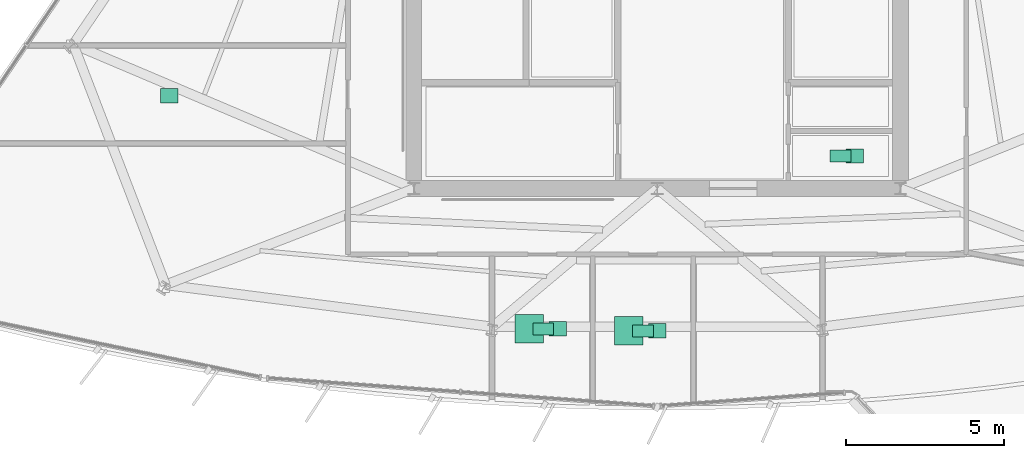
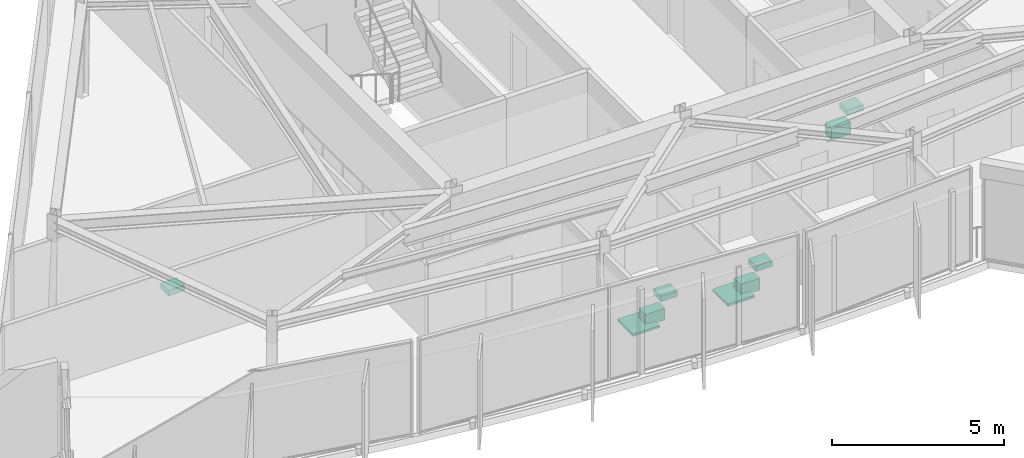
# One storey, part 13 of 13: 9 sanitary terminals.
"""IFC4 building model written with IfcOpenShell, lengths in metres."""

from ifc_helpers import new_model, si_unit, direction, frame, origin, origin_2d, place, context, subcontext, project, spatial, rectangle, extrude, material, type_object, element, save


model = new_model("IFC4")

# Units and contexts
model_context = context("Model", 3, precision=1e-05, world=origin(), true_north=direction((0.0, 1.0)))
body_context = subcontext(model_context, "Body", "Model", "MODEL_VIEW")
ifc_project = project(units=[si_unit("LENGTHUNIT", "METRE"), si_unit("AREAUNIT", "SQUARE_METRE"), si_unit("VOLUMEUNIT", "CUBIC_METRE"), si_unit("PLANEANGLEUNIT", "RADIAN"), si_unit("MASSUNIT", "GRAM", prefix="KILO")], contexts=[model_context])

# Site, building, storey
site_placement = place(None, origin())
site = spatial("IfcSite", under=ifc_project, at=site_placement, CompositionType="ELEMENT")
building_placement = place(site_placement, origin())
building = spatial("IfcBuilding", under=site, at=building_placement, Name="Savorim Split Tower", CompositionType="ELEMENT")
storey_placement = place(building_placement, frame((0.0, 0.0, 265.199951171875)))
storey = spatial("IfcBuildingStorey", under=building, at=storey_placement, Name="L70", CompositionType="ELEMENT", Elevation=265.199951171875)

# Sanitary terminals
ifc_material = material(Name="Vitreous China Sanitaryware")
sanitary_terminal_type_1 = type_object("IfcSanitaryTerminalType", Name="SAN-SHW-900", PredefinedType="SHOWER", material=ifc_material)
for number, where, z_axis, x_axis, name in (
    (1, (-4.049560546875, -13.83837890625, 0.0), (0.0, 0.0, 1.0), (1.0, 0.0, 0.0), "L70 Shared Bathroom Shower"),
    (2, (-0.899658203125, -13.89990234375, 0.0), (0.0, 0.0, 1.0), (1.0, 0.0, 0.0), "L70 Shared Bathroom Shower"),
):
    element("IfcSanitaryTerminal", number, at=place(storey_placement, frame(where, z_axis=z_axis, x_axis=x_axis)), inside=storey, type_object=sanitary_terminal_type_1, Name=name, PredefinedType="SHOWER", context=body_context, shape_type="SweptSolid", body=[
        extrude(rectangle(XDim=0.89990234375, YDim=0.89990234375, at=origin_2d()), origin(), (0.0, 0.0, 1.0), 0.080078125),
    ])
sanitary_terminal_type_2 = type_object("IfcSanitaryTerminalType", Name="SAN-WC-PAN", PredefinedType="TOILETPAN", material=ifc_material)
for number, where, z_axis, x_axis, name in (
    (3, (5.800048828125, -8.3701171875, 0.0), (0.0, 0.0, 1.0), (1.0, 0.0, 0.0), "L70 Accessible WC WC Pan"),
    (4, (-3.599609375, -13.83837890625, 0.0), (0.0, 0.0, 1.0), (1.0, 0.0, 0.0), "L70 Shared Bathroom WC Pan"),
    (5, (-0.44970703125, -13.89990234375, 0.0), (0.0, 0.0, 1.0), (1.0, 0.0, 0.0), "L70 Shared Bathroom WC Pan"),
):
    element("IfcSanitaryTerminal", number, at=place(storey_placement, frame(where, z_axis=z_axis, x_axis=x_axis)), inside=storey, type_object=sanitary_terminal_type_2, Name=name, PredefinedType="TOILETPAN", context=body_context, shape_type="SweptSolid", body=[
        extrude(rectangle(XDim=0.64990234375, YDim=0.3798828125, at=origin_2d()), origin(), (0.0, 0.0, 1.0), 0.419921875),
    ])
sanitary_terminal_type_3 = type_object("IfcSanitaryTerminalType", Name="SAN-WHB-550", PredefinedType="WASHHANDBASIN", material=ifc_material)
for number, where, z_axis, x_axis, name in (
    (6, (6.25, -8.3701171875, 0.72021484375), (0.0, 0.0, 1.0), (1.0, 0.0, 0.0), "L70 Accessible WC Washhand Basin"),
    (7, (-15.438720703125, -6.462646484375, 0.75), (0.0, 0.0, 1.0), (1.0, 0.0, 0.0), "L70 Shared Kitchen Utility Sink"),
    (8, (-3.1494140625, -13.83837890625, 0.72021484375), (0.0, 0.0, 1.0), (1.0, 0.0, 0.0), "L70 Shared Bathroom Washhand Basin"),
    (9, (0.000244140625, -13.89990234375, 0.72021484375), (0.0, 0.0, 1.0), (1.0, 0.0, 0.0), "L70 Shared Bathroom Washhand Basin"),
):
    element("IfcSanitaryTerminal", number, at=place(storey_placement, frame(where, z_axis=z_axis, x_axis=x_axis)), inside=storey, type_object=sanitary_terminal_type_3, Name=name, PredefinedType="WASHHANDBASIN", context=body_context, shape_type="SweptSolid", body=[
        extrude(rectangle(XDim=0.550048828125, YDim=0.449951171875, at=origin_2d()), origin(), (0.0, 0.0, 1.0), 0.199951171875),
    ])

save(model, "model.ifc")
